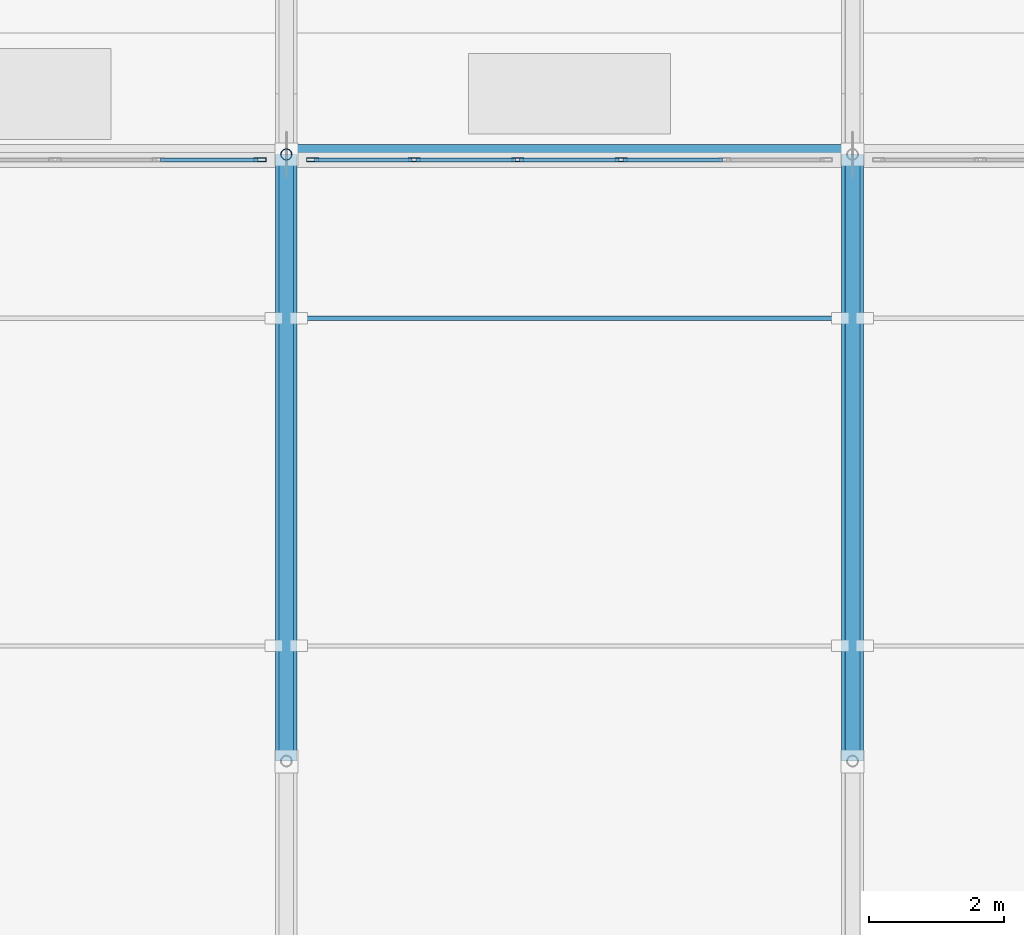
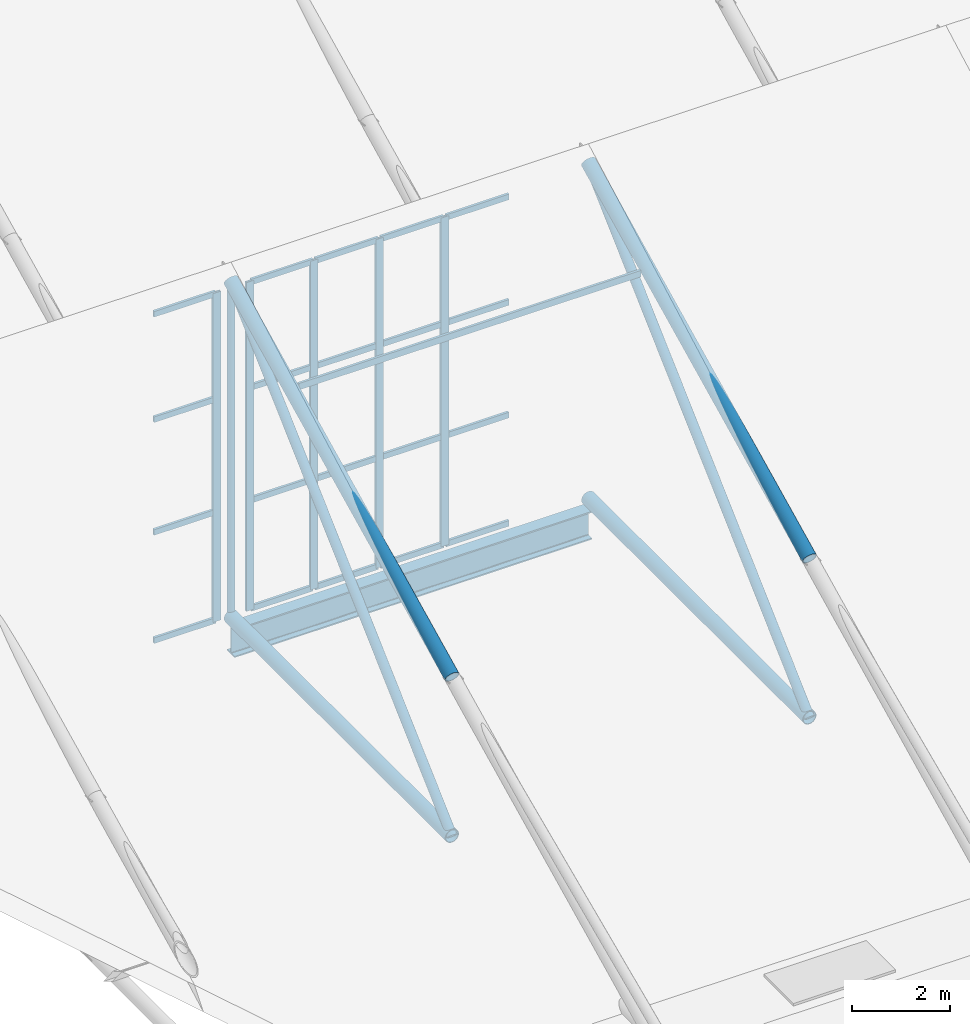
# One storey, part 12 of 38: 33 members, 1 beam, 2 elements without a shape of their own.
"""IFC4 building model written with IfcOpenShell, lengths in metres."""

from ifc_helpers import new_model, si_unit, direction, frame, origin, origin_2d, place, context, subcontext, project, spatial, hollow_rectangle, hollow_circle, i_section, extrude, material, material_profile, profile_set, type_object, element, aggregate, save


model = new_model("IFC4")

# Units and contexts
model_context = context("Model", 3, precision=1e-05, world=origin(), true_north=direction((0.0, 1.0)))
body_context = subcontext(model_context, "Body", "Model", "MODEL_VIEW")
ifc_project = project(units=[si_unit("LENGTHUNIT", "METRE"), si_unit("AREAUNIT", "SQUARE_METRE"), si_unit("VOLUMEUNIT", "CUBIC_METRE"), si_unit("PLANEANGLEUNIT", "RADIAN"), si_unit("MASSUNIT", "GRAM", prefix="KILO")], contexts=[model_context])

# Site, building, storey
site_placement = place(None, origin())
site = spatial("IfcSite", under=ifc_project, at=site_placement, CompositionType="ELEMENT")
building_placement = place(site_placement, origin())
building = spatial("IfcBuilding", under=site, at=building_placement, Name="Veltarok Museum of Natural Sciences", CompositionType="ELEMENT")
storey_placement = place(building_placement, frame((0.0, 0.0, 31.199951171875)))
storey = spatial("IfcBuildingStorey", under=building, at=storey_placement, Name="RF", CompositionType="ELEMENT", Elevation=31.199951171875)

# Beam
ifc_material_1 = material(Name="Steel S355J2", Category="steel")
ifc_material_profile_1 = material_profile(ifc_material_1, i_section(OverallWidth=0.300048828125, OverallDepth=0.699951171875, WebThickness=0.01708984375, FlangeThickness=0.031982421875, FilletRadius=0.027099609375, at=origin_2d()), Name="HEB 700")
ifc_profile_set_1 = profile_set([ifc_material_profile_1], Name="Steel S355J2")
beam_type = type_object("IfcBeamType", Name="Long-Span Hall Girder HEB 700", PredefinedType="BEAM", material=ifc_profile_set_1)
beam_placement = place(storey_placement, frame((65.199951171875, 54.0, -6.389892578125), z_axis=(1.0, 0.0, 0.0), x_axis=(0.0, 1.0, 0.0)))
element("IfcBeam", 1, at=beam_placement, inside=storey, type_object=beam_type, Name="Sawtooth Valley Girder 8-9 Y=54.0", PredefinedType="BEAM", context=body_context, shape_type="SweptSolid", body=[
    extrude(i_section(OverallWidth=0.300048828125, OverallDepth=0.699951171875, WebThickness=0.01708984375, FlangeThickness=0.031982421875, FilletRadius=0.027099609375, at=origin_2d()), origin(), (0.0, 0.0, 1.0), 8.400146484375),
])

# Curtain wall, member
ifc_material_2 = material(Name="Low-iron triple insulated glass", Category="glass")
curtain_wall_type = type_object("IfcCurtainWallType", Name="Curtain Wall System CW-SAW-M1-768x817 (Sawtooth North Clerestory M1 768x817cm)", PredefinedType="NOTDEFINED", material=ifc_material_2)
curtain_wall_1_placement = place(storey_placement, origin())
curtain_wall_1 = element("IfcCurtainWall", 2, at=curtain_wall_1_placement, inside=storey, type_object=curtain_wall_type, Name="Curtain Wall CW-SAW-M1-768x817 CW-SAW-0076", PredefinedType="NOTDEFINED")
ifc_material_3 = material(Name="Thermally broken anodised aluminium", Category="aluminium")
ifc_material_profile_2 = material_profile(ifc_material_3, hollow_rectangle(XDim=0.06005859375, YDim=0.179931640625, WallThickness=0.006103515625, at=origin_2d()), Name="CW MULLION 60x180x6")
ifc_profile_set_2 = profile_set([ifc_material_profile_2], Name="Thermally broken anodised aluminium")
member_type_1 = type_object("IfcMemberType", Name="Sawtooth Clerestory Mullion 60x180x6", PredefinedType="MULLION", material=ifc_profile_set_2)
member_1_placement = place(storey_placement, frame((64.81005859375, 53.919921875, -5.719970703125), z_axis=(0.0, 0.0, 1.0), x_axis=(0.0, -1.0, 0.0)))
member_1 = element("IfcMember", 3, at=member_1_placement, type_object=member_type_1, Name="CW-SAW-M1-768x817 mullion 1", PredefinedType="MULLION", context=body_context, shape_type="SweptSolid", body=[
    extrude(hollow_rectangle(XDim=0.06005859375, YDim=0.179931640625, WallThickness=0.006103515625, at=origin_2d()), origin(), (0.0, 0.0, 1.0), 8.169921875),
])

# Curtain wall, members
curtain_wall_2_placement = place(storey_placement, origin())
curtain_wall_2 = element("IfcCurtainWall", 4, at=curtain_wall_2_placement, inside=storey, type_object=curtain_wall_type, Name="Curtain Wall CW-SAW-M1-768x817 CW-SAW-0078", PredefinedType="NOTDEFINED")
member_2_placement = place(storey_placement, frame((70.16796875, 53.919921875, -5.719970703125), z_axis=(0.0, 0.0, 1.0), x_axis=(0.0, -1.0, 0.0)))
member_2 = element("IfcMember", 5, at=member_2_placement, type_object=member_type_1, Name="CW-SAW-M1-768x817 mullion 3", PredefinedType="MULLION", context=body_context, shape_type="SweptSolid", body=[
    extrude(hollow_rectangle(XDim=0.06005859375, YDim=0.179931640625, WallThickness=0.006103515625, at=origin_2d()), origin(), (0.0, 0.0, 1.0), 8.169921875),
])
member_3_placement = place(storey_placement, frame((68.632080078125, 53.919921875, -5.719970703125), z_axis=(0.0, 0.0, 1.0), x_axis=(0.0, -1.0, 0.0)))
member_3 = element("IfcMember", 6, at=member_3_placement, type_object=member_type_1, Name="CW-SAW-M1-768x817 mullion 4", PredefinedType="MULLION", context=body_context, shape_type="SweptSolid", body=[
    extrude(hollow_rectangle(XDim=0.06005859375, YDim=0.179931640625, WallThickness=0.006103515625, at=origin_2d()), origin(), (0.0, 0.0, 1.0), 8.169921875),
])
member_4_placement = place(storey_placement, frame((67.095947265625, 53.919921875, -5.719970703125), z_axis=(0.0, 0.0, 1.0), x_axis=(0.0, -1.0, 0.0)))
member_4 = element("IfcMember", 7, at=member_4_placement, type_object=member_type_1, Name="CW-SAW-M1-768x817 mullion 5", PredefinedType="MULLION", context=body_context, shape_type="SweptSolid", body=[
    extrude(hollow_rectangle(XDim=0.06005859375, YDim=0.179931640625, WallThickness=0.006103515625, at=origin_2d()), origin(), (0.0, 0.0, 1.0), 8.169921875),
])
member_5_placement = place(storey_placement, frame((65.590087890625, 53.919921875, -5.719970703125), z_axis=(0.0, 0.0, 1.0), x_axis=(0.0, -1.0, 0.0)))
member_5 = element("IfcMember", 8, at=member_5_placement, type_object=member_type_1, Name="CW-SAW-M1-768x817 mullion 6", PredefinedType="MULLION", context=body_context, shape_type="SweptSolid", body=[
    extrude(hollow_rectangle(XDim=0.06005859375, YDim=0.179931640625, WallThickness=0.006103515625, at=origin_2d()), origin(), (0.0, 0.0, 1.0), 8.169921875),
])

# Member
ifc_material_profile_3 = material_profile(ifc_material_3, hollow_rectangle(XDim=0.06005859375, YDim=0.139892578125, WallThickness=0.0048828125, at=origin_2d()), Name="CW TRANSOM 60x140x5")
ifc_profile_set_3 = profile_set([ifc_material_profile_3], Name="Thermally broken anodised aluminium")
member_type_2 = type_object("IfcMemberType", Name="Sawtooth Clerestory Transom 60x140x5", PredefinedType="USERDEFINED", material=ifc_profile_set_3)
member_6_placement = place(storey_placement, frame((64.780029296875, 53.919921875, -5.68994140625), z_axis=(-1.0, 0.0, 0.0), x_axis=(0.0, -1.0, 0.0)))
member_6 = element("IfcMember", 9, at=member_6_placement, type_object=member_type_2, Name="CW-SAW-M1-768x817 transom 1.1", ObjectType="TRANSOM", PredefinedType="USERDEFINED", context=body_context, shape_type="SweptSolid", body=[
    extrude(hollow_rectangle(XDim=0.06005859375, YDim=0.139892578125, WallThickness=0.0048828125, at=origin_2d()), origin(), (0.0, 0.0, 1.0), 1.446044921875),
])

member_7_placement = place(storey_placement, frame((64.780029296875, 53.919921875, -3.0), z_axis=(-1.0, 0.0, 0.0), x_axis=(0.0, -1.0, 0.0)))
member_7 = element("IfcMember", 10, at=member_7_placement, type_object=member_type_2, Name="CW-SAW-M1-768x817 transom 1.2", ObjectType="TRANSOM", PredefinedType="USERDEFINED", context=body_context, shape_type="SweptSolid", body=[
    extrude(hollow_rectangle(XDim=0.06005859375, YDim=0.139892578125, WallThickness=0.0048828125, at=origin_2d()), origin(), (0.0, 0.0, 1.0), 1.446044921875),
])

member_8_placement = place(storey_placement, frame((64.780029296875, 53.919921875, -0.199951171875), z_axis=(-1.0, 0.0, 0.0), x_axis=(0.0, -1.0, 0.0)))
member_8 = element("IfcMember", 11, at=member_8_placement, type_object=member_type_2, Name="CW-SAW-M1-768x817 transom 1.3", ObjectType="TRANSOM", PredefinedType="USERDEFINED", context=body_context, shape_type="SweptSolid", body=[
    extrude(hollow_rectangle(XDim=0.06005859375, YDim=0.139892578125, WallThickness=0.0048828125, at=origin_2d()), origin(), (0.0, 0.0, 1.0), 1.446044921875),
])

member_9_placement = place(storey_placement, frame((64.780029296875, 53.919921875, 2.420166015625), z_axis=(-1.0, 0.0, 0.0), x_axis=(0.0, -1.0, 0.0)))
member_9 = element("IfcMember", 12, at=member_9_placement, type_object=member_type_2, Name="CW-SAW-M1-768x817 transom 1.4", ObjectType="TRANSOM", PredefinedType="USERDEFINED", context=body_context, shape_type="SweptSolid", body=[
    extrude(hollow_rectangle(XDim=0.06005859375, YDim=0.139892578125, WallThickness=0.0048828125, at=origin_2d()), origin(), (0.0, 0.0, 1.0), 1.446044921875),
])

aggregate(curtain_wall_1, [member_1, member_6, member_7, member_8, member_9])

member_10_placement = place(storey_placement, frame((71.674072265625, 53.919921875, -5.68994140625), z_axis=(-1.0, 0.0, 0.0), x_axis=(0.0, -1.0, 0.0)))
member_10 = element("IfcMember", 13, at=member_10_placement, type_object=member_type_2, Name="CW-SAW-M1-768x817 transom 2.1", ObjectType="TRANSOM", PredefinedType="USERDEFINED", context=body_context, shape_type="SweptSolid", body=[
    extrude(hollow_rectangle(XDim=0.06005859375, YDim=0.139892578125, WallThickness=0.0048828125, at=origin_2d()), origin(), (0.0, 0.0, 1.0), 1.47607421875),
])

member_11_placement = place(storey_placement, frame((71.674072265625, 53.919921875, -3.0), z_axis=(-1.0, 0.0, 0.0), x_axis=(0.0, -1.0, 0.0)))
member_11 = element("IfcMember", 14, at=member_11_placement, type_object=member_type_2, Name="CW-SAW-M1-768x817 transom 2.2", ObjectType="TRANSOM", PredefinedType="USERDEFINED", context=body_context, shape_type="SweptSolid", body=[
    extrude(hollow_rectangle(XDim=0.06005859375, YDim=0.139892578125, WallThickness=0.0048828125, at=origin_2d()), origin(), (0.0, 0.0, 1.0), 1.47607421875),
])

member_12_placement = place(storey_placement, frame((71.674072265625, 53.919921875, -0.199951171875), z_axis=(-1.0, 0.0, 0.0), x_axis=(0.0, -1.0, 0.0)))
member_12 = element("IfcMember", 15, at=member_12_placement, type_object=member_type_2, Name="CW-SAW-M1-768x817 transom 2.3", ObjectType="TRANSOM", PredefinedType="USERDEFINED", context=body_context, shape_type="SweptSolid", body=[
    extrude(hollow_rectangle(XDim=0.06005859375, YDim=0.139892578125, WallThickness=0.0048828125, at=origin_2d()), origin(), (0.0, 0.0, 1.0), 1.47607421875),
])

member_13_placement = place(storey_placement, frame((71.674072265625, 53.919921875, 2.420166015625), z_axis=(-1.0, 0.0, 0.0), x_axis=(0.0, -1.0, 0.0)))
member_13 = element("IfcMember", 16, at=member_13_placement, type_object=member_type_2, Name="CW-SAW-M1-768x817 transom 2.4", ObjectType="TRANSOM", PredefinedType="USERDEFINED", context=body_context, shape_type="SweptSolid", body=[
    extrude(hollow_rectangle(XDim=0.06005859375, YDim=0.139892578125, WallThickness=0.0048828125, at=origin_2d()), origin(), (0.0, 0.0, 1.0), 1.47607421875),
])

member_14_placement = place(storey_placement, frame((70.137939453125, 53.919921875, -5.68994140625), z_axis=(-1.0, 0.0, 0.0), x_axis=(0.0, -1.0, 0.0)))
member_14 = element("IfcMember", 17, at=member_14_placement, type_object=member_type_2, Name="CW-SAW-M1-768x817 transom 3.1", ObjectType="TRANSOM", PredefinedType="USERDEFINED", context=body_context, shape_type="SweptSolid", body=[
    extrude(hollow_rectangle(XDim=0.06005859375, YDim=0.139892578125, WallThickness=0.0048828125, at=origin_2d()), origin(), (0.0, 0.0, 1.0), 1.475830078125),
])

member_15_placement = place(storey_placement, frame((70.137939453125, 53.919921875, -3.0), z_axis=(-1.0, 0.0, 0.0), x_axis=(0.0, -1.0, 0.0)))
member_15 = element("IfcMember", 18, at=member_15_placement, type_object=member_type_2, Name="CW-SAW-M1-768x817 transom 3.2", ObjectType="TRANSOM", PredefinedType="USERDEFINED", context=body_context, shape_type="SweptSolid", body=[
    extrude(hollow_rectangle(XDim=0.06005859375, YDim=0.139892578125, WallThickness=0.0048828125, at=origin_2d()), origin(), (0.0, 0.0, 1.0), 1.475830078125),
])

member_16_placement = place(storey_placement, frame((70.137939453125, 53.919921875, -0.199951171875), z_axis=(-1.0, 0.0, 0.0), x_axis=(0.0, -1.0, 0.0)))
member_16 = element("IfcMember", 19, at=member_16_placement, type_object=member_type_2, Name="CW-SAW-M1-768x817 transom 3.3", ObjectType="TRANSOM", PredefinedType="USERDEFINED", context=body_context, shape_type="SweptSolid", body=[
    extrude(hollow_rectangle(XDim=0.06005859375, YDim=0.139892578125, WallThickness=0.0048828125, at=origin_2d()), origin(), (0.0, 0.0, 1.0), 1.475830078125),
])

member_17_placement = place(storey_placement, frame((70.137939453125, 53.919921875, 2.420166015625), z_axis=(-1.0, 0.0, 0.0), x_axis=(0.0, -1.0, 0.0)))
member_17 = element("IfcMember", 20, at=member_17_placement, type_object=member_type_2, Name="CW-SAW-M1-768x817 transom 3.4", ObjectType="TRANSOM", PredefinedType="USERDEFINED", context=body_context, shape_type="SweptSolid", body=[
    extrude(hollow_rectangle(XDim=0.06005859375, YDim=0.139892578125, WallThickness=0.0048828125, at=origin_2d()), origin(), (0.0, 0.0, 1.0), 1.475830078125),
])

member_18_placement = place(storey_placement, frame((68.60205078125, 53.919921875, -5.68994140625), z_axis=(-1.0, 0.0, 0.0), x_axis=(0.0, -1.0, 0.0)))
member_18 = element("IfcMember", 21, at=member_18_placement, type_object=member_type_2, Name="CW-SAW-M1-768x817 transom 4.1", ObjectType="TRANSOM", PredefinedType="USERDEFINED", context=body_context, shape_type="SweptSolid", body=[
    extrude(hollow_rectangle(XDim=0.06005859375, YDim=0.139892578125, WallThickness=0.0048828125, at=origin_2d()), origin(), (0.0, 0.0, 1.0), 1.47607421875),
])

member_19_placement = place(storey_placement, frame((68.60205078125, 53.919921875, -3.0), z_axis=(-1.0, 0.0, 0.0), x_axis=(0.0, -1.0, 0.0)))
member_19 = element("IfcMember", 22, at=member_19_placement, type_object=member_type_2, Name="CW-SAW-M1-768x817 transom 4.2", ObjectType="TRANSOM", PredefinedType="USERDEFINED", context=body_context, shape_type="SweptSolid", body=[
    extrude(hollow_rectangle(XDim=0.06005859375, YDim=0.139892578125, WallThickness=0.0048828125, at=origin_2d()), origin(), (0.0, 0.0, 1.0), 1.47607421875),
])

member_20_placement = place(storey_placement, frame((68.60205078125, 53.919921875, -0.199951171875), z_axis=(-1.0, 0.0, 0.0), x_axis=(0.0, -1.0, 0.0)))
member_20 = element("IfcMember", 23, at=member_20_placement, type_object=member_type_2, Name="CW-SAW-M1-768x817 transom 4.3", ObjectType="TRANSOM", PredefinedType="USERDEFINED", context=body_context, shape_type="SweptSolid", body=[
    extrude(hollow_rectangle(XDim=0.06005859375, YDim=0.139892578125, WallThickness=0.0048828125, at=origin_2d()), origin(), (0.0, 0.0, 1.0), 1.47607421875),
])

member_21_placement = place(storey_placement, frame((68.60205078125, 53.919921875, 2.420166015625), z_axis=(-1.0, 0.0, 0.0), x_axis=(0.0, -1.0, 0.0)))
member_21 = element("IfcMember", 24, at=member_21_placement, type_object=member_type_2, Name="CW-SAW-M1-768x817 transom 4.4", ObjectType="TRANSOM", PredefinedType="USERDEFINED", context=body_context, shape_type="SweptSolid", body=[
    extrude(hollow_rectangle(XDim=0.06005859375, YDim=0.139892578125, WallThickness=0.0048828125, at=origin_2d()), origin(), (0.0, 0.0, 1.0), 1.47607421875),
])

member_22_placement = place(storey_placement, frame((67.06591796875, 53.919921875, -5.68994140625), z_axis=(-1.0, 0.0, 0.0), x_axis=(0.0, -1.0, 0.0)))
member_22 = element("IfcMember", 25, at=member_22_placement, type_object=member_type_2, Name="CW-SAW-M1-768x817 transom 5.1", ObjectType="TRANSOM", PredefinedType="USERDEFINED", context=body_context, shape_type="SweptSolid", body=[
    extrude(hollow_rectangle(XDim=0.06005859375, YDim=0.139892578125, WallThickness=0.0048828125, at=origin_2d()), origin(), (0.0, 0.0, 1.0), 1.44580078125),
])

member_23_placement = place(storey_placement, frame((67.06591796875, 53.919921875, -3.0), z_axis=(-1.0, 0.0, 0.0), x_axis=(0.0, -1.0, 0.0)))
member_23 = element("IfcMember", 26, at=member_23_placement, type_object=member_type_2, Name="CW-SAW-M1-768x817 transom 5.2", ObjectType="TRANSOM", PredefinedType="USERDEFINED", context=body_context, shape_type="SweptSolid", body=[
    extrude(hollow_rectangle(XDim=0.06005859375, YDim=0.139892578125, WallThickness=0.0048828125, at=origin_2d()), origin(), (0.0, 0.0, 1.0), 1.44580078125),
])

member_24_placement = place(storey_placement, frame((67.06591796875, 53.919921875, -0.199951171875), z_axis=(-1.0, 0.0, 0.0), x_axis=(0.0, -1.0, 0.0)))
member_24 = element("IfcMember", 27, at=member_24_placement, type_object=member_type_2, Name="CW-SAW-M1-768x817 transom 5.3", ObjectType="TRANSOM", PredefinedType="USERDEFINED", context=body_context, shape_type="SweptSolid", body=[
    extrude(hollow_rectangle(XDim=0.06005859375, YDim=0.139892578125, WallThickness=0.0048828125, at=origin_2d()), origin(), (0.0, 0.0, 1.0), 1.44580078125),
])

member_25_placement = place(storey_placement, frame((67.06591796875, 53.919921875, 2.420166015625), z_axis=(-1.0, 0.0, 0.0), x_axis=(0.0, -1.0, 0.0)))
member_25 = element("IfcMember", 28, at=member_25_placement, type_object=member_type_2, Name="CW-SAW-M1-768x817 transom 5.4", ObjectType="TRANSOM", PredefinedType="USERDEFINED", context=body_context, shape_type="SweptSolid", body=[
    extrude(hollow_rectangle(XDim=0.06005859375, YDim=0.139892578125, WallThickness=0.0048828125, at=origin_2d()), origin(), (0.0, 0.0, 1.0), 1.44580078125),
])

aggregate(curtain_wall_2, [member_2, member_3, member_4, member_5, member_10, member_11, member_12, member_13, member_14, member_15, member_16, member_17, member_18, member_19, member_20, member_21, member_22, member_23, member_24, member_25])

# Members
ifc_material_profile_4 = material_profile(ifc_material_1, hollow_rectangle(XDim=0.06005859375, YDim=0.159912109375, WallThickness=0.0048828125, at=origin_2d()), Name="RHS 160x60x5")
ifc_profile_set_4 = profile_set([ifc_material_profile_4], Name="Steel S355J2")
member_type_3 = type_object("IfcMemberType", Name="Sawtooth Roof Purlin RHS 160x60x5", PredefinedType="PURLIN", material=ifc_profile_set_4)
member_26_placement = place(storey_placement, frame((65.3798828125, 51.570068359375, 1.32958984375), z_axis=(1.0, 0.0, 0.0), x_axis=(0.0, 1.0, 0.0)))
element("IfcMember", 29, at=member_26_placement, inside=storey, type_object=member_type_3, Name="Sawtooth Purlin 8-9 M1", PredefinedType="PURLIN", context=body_context, shape_type="SweptSolid", body=[
    extrude(hollow_rectangle(XDim=0.06005859375, YDim=0.159912109375, WallThickness=0.0048828125, at=origin_2d()), origin(), (0.0, 0.0, 1.0), 8.0400390625),
])
ifc_material_4 = material(Name="Oxide-red painted Steel S355J2", Category="steel")
ifc_material_profile_5 = material_profile(ifc_material_4, hollow_circle(Radius=0.161865234375, WallThickness=0.01611328125, at=origin_2d()), Name="CHS 323.9x16")
ifc_profile_set_5 = profile_set([ifc_material_profile_5], Name="Oxide-red painted Steel S355J2")
member_type_4 = type_object("IfcMemberType", Name="Sawtooth Truss Chord CHS 323.9x16", PredefinedType="CHORD", material=ifc_profile_set_5)
member_27_placement = place(storey_placement, frame((65.199951171875, 45.0, -5.800048828125), z_axis=(0.0, 1.0, 0.0), x_axis=(-1.0, 0.0, 0.0)))
element("IfcMember", 30, at=member_27_placement, inside=storey, type_object=member_type_4, Name="Roof Truss Bottom Chord 8 M1", PredefinedType="CHORD", context=body_context, shape_type="SweptSolid", body=[
    extrude(hollow_circle(Radius=0.161865234375, WallThickness=0.01611328125, at=origin_2d()), origin(), (0.0, 0.0, 1.0), 9.0),
])
member_28_placement = place(storey_placement, frame((65.199951171875, 45.0, -1.849853515625), z_axis=(0.0, 0.898388207299, 0.439202264322), x_axis=(-1.0, 0.0, 0.0)))
element("IfcMember", 31, at=member_28_placement, inside=storey, type_object=member_type_4, Name="Roof Truss Top Chord 8 M1", PredefinedType="CHORD", context=body_context, shape_type="SweptSolid", body=[
    extrude(hollow_circle(Radius=0.161865234375, WallThickness=0.01611328125, at=origin_2d()), origin(), (0.0, 0.0, 1.0), 10.017822265625),
])
member_29_placement = place(storey_placement, frame((73.60009765625, 45.0, -5.800048828125), z_axis=(0.0, 1.0, 0.0), x_axis=(-1.0, 0.0, 0.0)))
element("IfcMember", 32, at=member_29_placement, inside=storey, type_object=member_type_4, Name="Roof Truss Bottom Chord 9 M1", PredefinedType="CHORD", context=body_context, shape_type="SweptSolid", body=[
    extrude(hollow_circle(Radius=0.161865234375, WallThickness=0.01611328125, at=origin_2d()), origin(), (0.0, 0.0, 1.0), 9.0),
])
member_30_placement = place(storey_placement, frame((73.60009765625, 45.0, -1.849853515625), z_axis=(0.0, 0.898388207299, 0.439202264322), x_axis=(-1.0, 0.0, 0.0)))
element("IfcMember", 33, at=member_30_placement, inside=storey, type_object=member_type_4, Name="Roof Truss Top Chord 9 M1", PredefinedType="CHORD", context=body_context, shape_type="SweptSolid", body=[
    extrude(hollow_circle(Radius=0.161865234375, WallThickness=0.01611328125, at=origin_2d()), origin(), (0.0, 0.0, 1.0), 10.017822265625),
])
ifc_material_profile_6 = material_profile(ifc_material_4, hollow_circle(Radius=0.084228515625, WallThickness=0.008056640625, at=origin_2d()), Name="CHS 168.3x8")
ifc_profile_set_6 = profile_set([ifc_material_profile_6], Name="Oxide-red painted Steel S355J2")
member_type_5 = type_object("IfcMemberType", Name="Sawtooth Truss Vertical Strut CHS 168.3x8", PredefinedType="STRUT", material=ifc_profile_set_6)
member_31_placement = place(storey_placement, frame((65.199951171875, 54.0, -5.800048828125), z_axis=(0.0, 0.0, 1.0), x_axis=(1.0, 0.0, 0.0)))
element("IfcMember", 34, at=member_31_placement, inside=storey, type_object=member_type_5, Name="Roof Truss Strut 8 M1", PredefinedType="STRUT", context=body_context, shape_type="SweptSolid", body=[
    extrude(hollow_circle(Radius=0.084228515625, WallThickness=0.008056640625, at=origin_2d()), origin(), (0.0, 0.0, 1.0), 8.35009765625),
])
ifc_material_profile_7 = material_profile(ifc_material_4, hollow_circle(Radius=0.109619140625, WallThickness=0.010009765625, at=origin_2d()), Name="CHS 219.1x10")
ifc_profile_set_7 = profile_set([ifc_material_profile_7], Name="Oxide-red painted Steel S355J2")
member_type_6 = type_object("IfcMemberType", Name="Sawtooth Truss Web Diagonal CHS 219.1x10", PredefinedType="BRACE", material=ifc_profile_set_7)
for number, where, z_axis, x_axis, name in (
    (35, (65.199951171875, 45.0, -5.800048828125), (0.0, 0.733079568112, 0.680142887059), (-1.0, 0.0, 0.0), "Roof Truss Diagonal 8 M1"),
    (36, (73.60009765625, 45.0, -5.800048828125), (0.0, 0.733079568112, 0.680142887059), (-1.0, 0.0, 0.0), "Roof Truss Diagonal 9 M1"),
):
    element("IfcMember", number, at=place(storey_placement, frame(where, z_axis=z_axis, x_axis=x_axis)), inside=storey, type_object=member_type_6, Name=name, PredefinedType="BRACE", context=body_context, shape_type="SweptSolid", body=[
        extrude(hollow_circle(Radius=0.109619140625, WallThickness=0.010009765625, at=origin_2d()), origin(), (0.0, 0.0, 1.0), 12.27685546875),
    ])

save(model, "model.ifc")
